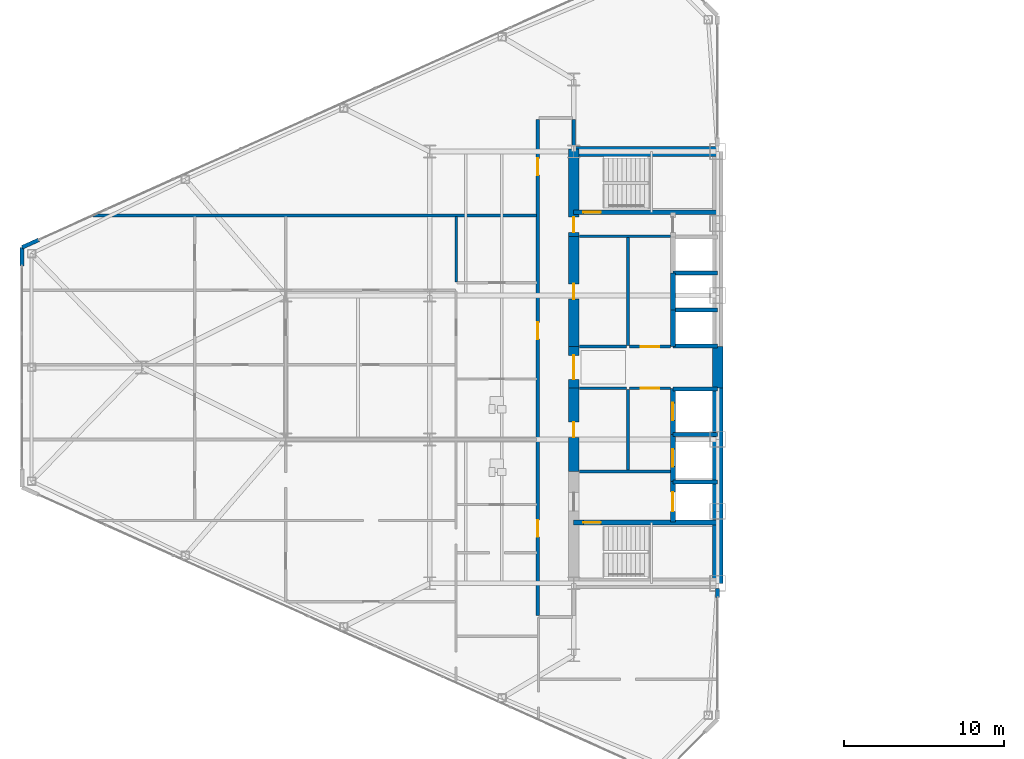
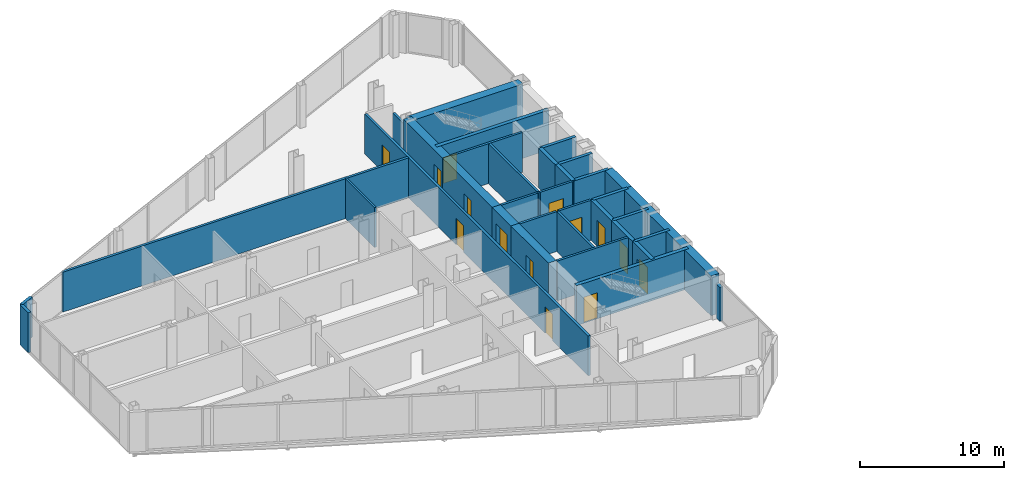
# One storey, part 20 of 27: 35 walls, 14 doors, 14 openings.
"""IFC4 building model written with IfcOpenShell, lengths in metres."""

from ifc_helpers import new_model, si_unit, direction, frame, frame_2d, origin, place, context, subcontext, project, spatial, rectangle, extrude, source, transform, mapped, material, layer, layer_set, type_object, type_shapes, element, fill, save


model = new_model("IFC4")

# Units and contexts
model_context = context("Model", 3, precision=1e-05, world=origin(), true_north=direction((0.0, 1.0)))
body_context = subcontext(model_context, "Body", "Model", "MODEL_VIEW")
ifc_project = project(units=[si_unit("LENGTHUNIT", "METRE"), si_unit("AREAUNIT", "SQUARE_METRE"), si_unit("VOLUMEUNIT", "CUBIC_METRE"), si_unit("PLANEANGLEUNIT", "RADIAN"), si_unit("MASSUNIT", "GRAM", prefix="KILO")], contexts=[model_context])

# Site, building, storey
site_placement = place(None, origin())
site = spatial("IfcSite", under=ifc_project, at=site_placement, CompositionType="ELEMENT")
building_placement = place(site_placement, origin())
building = spatial("IfcBuilding", under=site, at=building_placement, Name="Seokmaru Belvedere", CompositionType="ELEMENT")
storey_placement = place(building_placement, frame((0.0, 0.0, 65.699951171875)))
storey = spatial("IfcBuildingStorey", under=building, at=storey_placement, Name="L17", CompositionType="ELEMENT", Elevation=65.699951171875)

# Walls
ifc_material_1 = material(Name="Fire-Rated Gypsum Shaftwall")
ifc_layer_1 = layer(ifc_material_1, 0.14990234375)
ifc_layer_set_1 = layer_set([ifc_layer_1], Name="Fire-Rated Gypsum Shaftwall")
wall_type_1 = type_object("IfcWallType", Name="Apartment Fire-Acoustic Room Partition 150", PredefinedType="PARTITIONING", material=ifc_layer_set_1)
wall_1_placement = place(storey_placement, frame((-43.85009765625, 5.35205078125, 0.0), z_axis=(0.0, 0.0, 1.0), x_axis=(0.0, 1.0, 0.0)))
element("IfcWall", 1, at=wall_1_placement, inside=storey, type_object=wall_type_1, Name="L17 Interior Partition 035", PredefinedType="PARTITIONING", context=body_context, shape_type="SweptSolid", body=[
    extrude(rectangle(XDim=4.097900390625, YDim=0.14990234375, at=frame_2d((2.048828125, 0.0))), origin(), (0.0, 0.0, 1.0), 3.380126953125),
])
ifc_layer_2 = layer(ifc_material_1, 0.179931640625)
ifc_layer_set_2 = layer_set([ifc_layer_2], Name="Fire-Rated Gypsum Shaftwall")
wall_type_2 = type_object("IfcWallType", Name="Core Service Fire Partition 180", PredefinedType="PARTITIONING", material=ifc_layer_set_2)
for number, where, z_axis, x_axis, name in (
    (2, (-36.14990234375, -6.5, 0.0), (0.0, 0.0, 1.0), (1.0, 0.0, 0.0), "L17 West Firefighting Lobby Partition"),
    (3, (-36.14990234375, 8.199951171875, 0.0), (0.0, 0.0, 1.0), (1.0, 0.0, 0.0), "L17 West Smokeproof Vestibule Partition"),
):
    element("IfcWall", number, at=place(storey_placement, frame(where, z_axis=z_axis, x_axis=x_axis)), inside=storey, type_object=wall_type_2, Name=name, PredefinedType="PARTITIONING", context=body_context, shape_type="SweptSolid", body=[
        extrude(rectangle(XDim=5.699951171875, YDim=0.179931640625, at=frame_2d((2.85009765625, 0.0))), origin(), (0.0, 0.0, 1.0), 3.380126953125),
    ])
wall_2_placement = place(storey_placement, frame((-33.10009765625, -6.419921875, 0.0), z_axis=(0.0, 0.0, 1.0), x_axis=(0.0, 1.0, 0.0)))
element("IfcWall", 4, at=wall_2_placement, inside=storey, type_object=wall_type_2, Name="L17 West South Core Service Back Wall", PredefinedType="PARTITIONING", context=body_context, shape_type="SweptSolid", body=[
    extrude(rectangle(XDim=5.0400390625, YDim=0.179931640625, at=frame_2d((2.52001953125, 0.0))), origin(), (0.0, 0.0, 1.0), 3.380126953125),
])
wall_3_placement = place(storey_placement, frame((-33.10009765625, 1.3798828125, 0.0), z_axis=(0.0, 0.0, 1.0), x_axis=(0.0, 1.0, 0.0)))
element("IfcWall", 5, at=wall_3_placement, inside=storey, type_object=wall_type_2, Name="L17 West North Core Service Back Wall", PredefinedType="PARTITIONING", context=body_context, shape_type="SweptSolid", body=[
    extrude(rectangle(XDim=6.740234375, YDim=0.179931640625, at=frame_2d((3.3701171875, 0.0))), origin(), (0.0, 0.0, 1.0), 3.380126953125),
])

# Wall, opening, door
wall_4_placement = place(storey_placement, frame((-33.02001953125, -1.300048828125, 0.0), z_axis=(0.0, 0.0, 1.0), x_axis=(1.0, 0.0, 0.0)))
wall_4 = element("IfcWall", 6, at=wall_4_placement, inside=storey, type_object=wall_type_2, Name="L17 West South Lift Lobby Foyer Wall", PredefinedType="PARTITIONING", context=body_context, shape_type="SweptSolid", body=[
    extrude(rectangle(XDim=2.570068359375, YDim=0.179931640625, at=frame_2d((1.28515625, 0.0))), origin(), (0.0, 0.0, 1.0), 3.380126953125),
])
opening_1_placement = place(wall_4_placement, frame((0.7099609375, 0.0, 0.0)))
opening_1 = element("IfcOpeningElement", 7, at=opening_1_placement, cuts=wall_4, Name="Opening D02", PredefinedType="OPENING", context=body_context, shape_type="SweptSolid", body=[
    extrude(rectangle(XDim=1.14990234375, YDim=2.199951171875, at=frame_2d((0.574951171875, 1.10009765625))), frame((0.0, 0.10009765625, 0.0), z_axis=(0.0, -1.0, 0.0), x_axis=(1.0, 0.0, 0.0)), (0.0, 0.0, 1.0), 0.199951171875),
])
ifc_material_2 = material(Name="Fire-Rated Steel Leaf", Category="steel")
door_type_1 = type_object("IfcDoorType", Name="Lobby and Vestibule Fire Door 1150x2200", OperationType="NOTDEFINED", PredefinedType="DOOR", material=ifc_material_2)
shared_shape_1 = source(origin(), body_context, "Body", "SweptSolid", [
    extrude(rectangle(XDim=1.14990234375, YDim=2.199951171875, at=frame_2d((0.574951171875, 1.10009765625))), frame((0.0, 0.02490234375, 0.0), z_axis=(0.0, -1.0, 0.0), x_axis=(1.0, 0.0, 0.0)), (0.0, 0.0, 1.0), 0.050048828125),
])
type_shapes(door_type_1, [shared_shape_1])
door_1_placement = place(opening_1_placement, origin())
door_1 = element("IfcDoor", 8, at=door_1_placement, inside=storey, type_object=door_type_1, Name="L17 West South Core Foyer Door", OperationType="SINGLE_SWING_LEFT", OverallHeight=2.199951171875, OverallWidth=1.14990234375, PredefinedType="DOOR", context=body_context, shape_type="MappedRepresentation", body=[
    mapped(shared_shape_1, transform((0.0, 0.0, 0.0), scale=1.0)),
])
fill(opening_1, door_1)

wall_5_placement = place(storey_placement, frame((-33.02001953125, 1.300048828125, 0.0), z_axis=(0.0, 0.0, 1.0), x_axis=(1.0, 0.0, 0.0)))
wall_5 = element("IfcWall", 9, at=wall_5_placement, inside=storey, type_object=wall_type_2, Name="L17 West North Lift Lobby Foyer Wall", PredefinedType="PARTITIONING", context=body_context, shape_type="SweptSolid", body=[
    extrude(rectangle(XDim=2.570068359375, YDim=0.179931640625, at=frame_2d((1.28515625, 0.0))), origin(), (0.0, 0.0, 1.0), 3.380126953125),
])
opening_2_placement = place(wall_5_placement, frame((0.7099609375, 0.0, 0.0)))
opening_2 = element("IfcOpeningElement", 10, at=opening_2_placement, cuts=wall_5, Name="Opening D02", PredefinedType="OPENING", context=body_context, shape_type="SweptSolid", body=[
    extrude(rectangle(XDim=1.14990234375, YDim=2.199951171875, at=frame_2d((0.574951171875, 1.10009765625))), frame((0.0, 0.10009765625, 0.0), z_axis=(0.0, -1.0, 0.0), x_axis=(1.0, 0.0, 0.0)), (0.0, 0.0, 1.0), 0.199951171875),
])
door_2_placement = place(opening_2_placement, origin())
door_2 = element("IfcDoor", 11, at=door_2_placement, inside=storey, type_object=door_type_1, Name="L17 West North Lift Lobby Door", OperationType="SINGLE_SWING_RIGHT", OverallHeight=2.199951171875, OverallWidth=1.14990234375, PredefinedType="DOOR", context=body_context, shape_type="MappedRepresentation", body=[
    mapped(shared_shape_1, transform((0.0, 0.0, 0.0), scale=1.0)),
])
fill(opening_2, door_2)

# Walls
for number, where, z_axis, x_axis, name in (
    (12, (-36.14990234375, -1.300048828125, 0.0), (0.0, 0.0, 1.0), (1.0, 0.0, 0.0), "L17 West Foyer Side Wall S"),
    (13, (-36.14990234375, 1.300048828125, 0.0), (0.0, 0.0, 1.0), (1.0, 0.0, 0.0), "L17 West Foyer Side Wall N"),
):
    element("IfcWall", number, at=place(storey_placement, frame(where, z_axis=z_axis, x_axis=x_axis)), inside=storey, type_object=wall_type_2, Name=name, PredefinedType="PARTITIONING", context=body_context, shape_type="SweptSolid", body=[
        extrude(rectangle(XDim=2.949951171875, YDim=0.179931640625, at=frame_2d((1.47509765625, 0.0))), origin(), (0.0, 0.0, 1.0), 3.380126953125),
    ])
ifc_material_3 = material(Name="Concrete C50 (50 MPa)", Category="concrete")
ifc_layer_3 = layer(ifc_material_3, 0.25)
ifc_layer_set_3 = layer_set([ifc_layer_3], Name="Concrete C50 (50 MPa)")
wall_type_3 = type_object("IfcWallType", Name="Hoistway Transverse Concrete Divider Wall 250", PredefinedType="SHEAR", material=ifc_layer_set_3)
for number, where, z_axis, x_axis, name in (
    (14, (-30.300048828125, -7.14990234375, 0.0), (0.0, 0.0, 1.0), (1.0, 0.0, 0.0), "L17 West Hoistway Divider Core Wall 1"),
    (15, (-30.300048828125, -4.199951171875, 0.0), (0.0, 0.0, 1.0), (1.0, 0.0, 0.0), "L17 West Hoistway Divider Core Wall 2"),
    (16, (-30.300048828125, -1.35009765625, 0.0), (0.0, 0.0, 1.0), (1.0, 0.0, 0.0), "L17 West Hoistway Divider Core Wall 3"),
    (17, (-30.300048828125, 1.35009765625, 0.0), (0.0, 0.0, 1.0), (1.0, 0.0, 0.0), "L17 West Hoistway Divider Core Wall 4"),
    (18, (-30.300048828125, 3.60009765625, 0.0), (0.0, 0.0, 1.0), (1.0, 0.0, 0.0), "L17 West Hoistway Divider Core Wall 5"),
    (19, (-30.300048828125, 5.89990234375, 0.0), (0.0, 0.0, 1.0), (1.0, 0.0, 0.0), "L17 West Hoistway Divider Core Wall 6"),
):
    element("IfcWall", number, at=place(storey_placement, frame(where, z_axis=z_axis, x_axis=x_axis)), inside=storey, type_object=wall_type_3, Name=name, PredefinedType="SHEAR", context=body_context, shape_type="SweptSolid", body=[
        extrude(rectangle(XDim=2.800048828125, YDim=0.25, at=frame_2d((1.39990234375, 0.0))), origin(), (0.0, 0.0, 1.0), 3.380126953125),
    ])
ifc_layer_4 = layer(ifc_material_1, 0.199951171875)
ifc_layer_set_4 = layer_set([ifc_layer_4], Name="Fire-Rated Gypsum Shaftwall")
wall_type_4 = type_object("IfcWallType", Name="Inter-Tenancy Fire Compartment Partition 200", PredefinedType="PARTITIONING", material=ifc_layer_set_4)
wall_6_placement = place(storey_placement, frame((-66.568115234375, 9.5, 0.0), z_axis=(0.0, 0.0, 1.0), x_axis=(1.0, 0.0, 0.0)))
element("IfcWall", 20, at=wall_6_placement, inside=storey, type_object=wall_type_4, Name="L17 Interior Partition 026", PredefinedType="PARTITIONING", context=body_context, shape_type="SweptSolid", body=[
    extrude(rectangle(XDim=27.738037109375, YDim=0.199951171875, at=frame_2d((13.869140625, 0.0))), origin(), (0.0, 0.0, 1.0), 3.380126953125),
])

# Wall, openings, doors
wall_7_placement = place(storey_placement, frame((-38.75, -15.514892578125, 0.0), z_axis=(0.0, 0.0, 1.0), x_axis=(0.0, 1.0, 0.0)))
wall_7 = element("IfcWall", 21, at=wall_7_placement, inside=storey, type_object=wall_type_4, Name="L17 Interior Partition 036", PredefinedType="PARTITIONING", context=body_context, shape_type="SweptSolid", body=[
    extrude(rectangle(XDim=31.02978515625, YDim=0.199951171875, at=frame_2d((15.514892578125, 0.0))), origin(), (0.0, 0.0, 1.0), 3.380126953125),
])
opening_3_placement = place(wall_7_placement, frame((4.91259765625, 0.0, 0.0)))
opening_3 = element("IfcOpeningElement", 22, at=opening_3_placement, cuts=wall_7, Name="Opening D03", PredefinedType="OPENING", context=body_context, shape_type="SweptSolid", body=[
    extrude(rectangle(XDim=1.050048828125, YDim=2.25, at=frame_2d((0.52490234375, 1.125))), frame((0.0, 0.10986328125, 0.0), z_axis=(0.0, -1.0, 0.0), x_axis=(1.0, 0.0, 0.0)), (0.0, 0.0, 1.0), 0.219970703125),
])
opening_4_placement = place(wall_7_placement, frame((17.280029296875, 0.0, 0.0)))
opening_4 = element("IfcOpeningElement", 23, at=opening_4_placement, cuts=wall_7, Name="Opening D03", PredefinedType="OPENING", context=body_context, shape_type="SweptSolid", body=[
    extrude(rectangle(XDim=1.050048828125, YDim=2.25, at=frame_2d((0.52490234375, 1.125))), frame((0.0, 0.10986328125, 0.0), z_axis=(0.0, -1.0, 0.0), x_axis=(1.0, 0.0, 0.0)), (0.0, 0.0, 1.0), 0.219970703125),
])
opening_5_placement = place(wall_7_placement, frame((27.5400390625, 0.0, 0.0)))
opening_5 = element("IfcOpeningElement", 24, at=opening_5_placement, cuts=wall_7, Name="Opening D03", PredefinedType="OPENING", context=body_context, shape_type="SweptSolid", body=[
    extrude(rectangle(XDim=1.050048828125, YDim=2.25, at=frame_2d((0.52490234375, 1.125))), frame((0.0, 0.10986328125, 0.0), z_axis=(0.0, -1.0, 0.0), x_axis=(1.0, 0.0, 0.0)), (0.0, 0.0, 1.0), 0.219970703125),
])
door_type_2 = type_object("IfcDoorType", Name="Apartment Entrance Fire Door 1050x2250", OperationType="NOTDEFINED", PredefinedType="DOOR", material=ifc_material_2)
shared_shape_2 = source(origin(), body_context, "Body", "SweptSolid", [
    extrude(rectangle(XDim=1.050048828125, YDim=2.25, at=frame_2d((0.52490234375, 1.125))), frame((0.0, 0.02490234375, 0.0), z_axis=(0.0, -1.0, 0.0), x_axis=(1.0, 0.0, 0.0)), (0.0, 0.0, 1.0), 0.050048828125),
])
type_shapes(door_type_2, [shared_shape_2])
door_3_placement = place(opening_3_placement, origin())
door_3 = element("IfcDoor", 25, at=door_3_placement, inside=storey, type_object=door_type_2, Name="L17 Interior Door 001", OperationType="SINGLE_SWING_RIGHT", OverallHeight=2.25, OverallWidth=1.050048828125, PredefinedType="DOOR", context=body_context, shape_type="MappedRepresentation", body=[
    mapped(shared_shape_2, transform((0.0, 0.0, 0.0), scale=1.0)),
])
fill(opening_3, door_3)
door_4_placement = place(opening_4_placement, origin())
door_4 = element("IfcDoor", 26, at=door_4_placement, inside=storey, type_object=door_type_2, Name="L17 Interior Door 013", OperationType="SINGLE_SWING_LEFT", OverallHeight=2.25, OverallWidth=1.050048828125, PredefinedType="DOOR", context=body_context, shape_type="MappedRepresentation", body=[
    mapped(shared_shape_2, transform((0.0, 0.0, 0.0), scale=1.0)),
])
fill(opening_4, door_4)
door_5_placement = place(opening_5_placement, origin())
door_5 = element("IfcDoor", 27, at=door_5_placement, inside=storey, type_object=door_type_2, Name="L17 Interior Door 025", OperationType="SINGLE_SWING_RIGHT", OverallHeight=2.25, OverallWidth=1.050048828125, PredefinedType="DOOR", context=body_context, shape_type="MappedRepresentation", body=[
    mapped(shared_shape_2, transform((0.0, 0.0, 0.0), scale=1.0)),
])
fill(opening_5, door_5)

# Wall
wall_8_placement = place(storey_placement, frame((-36.5, 13.830078125, 0.0), z_axis=(0.0, 0.0, 1.0), x_axis=(0.0, 1.0, 0.0)))
element("IfcWall", 28, at=wall_8_placement, inside=storey, type_object=wall_type_4, Name="L17 Interior Partition 039", PredefinedType="PARTITIONING", context=body_context, shape_type="SweptSolid", body=[
    extrude(rectangle(XDim=1.684814453125, YDim=0.199951171875, at=frame_2d((0.84228515625, 0.0))), origin(), (0.0, 0.0, 1.0), 2.679931640625),
])

# Wall, opening, door
ifc_layer_5 = layer(ifc_material_3, 0.300048828125)
ifc_layer_set_5 = layer_set([ifc_layer_5], Name="Concrete C50 (50 MPa)")
wall_type_5 = type_object("IfcWallType", Name="Internal Core Stair and Hoistway Wall 300", PredefinedType="SHEAR", material=ifc_layer_set_5)
wall_9_placement = place(storey_placement, frame((-36.5, -9.699951171875, 0.0), z_axis=(0.0, 0.0, 1.0), x_axis=(1.0, 0.0, 0.0)))
wall_9 = element("IfcWall", 29, at=wall_9_placement, inside=storey, type_object=wall_type_5, Name="L17 West Stair ST-1 Enclosure Wall", PredefinedType="SHEAR", context=body_context, shape_type="SweptSolid", body=[
    extrude(rectangle(XDim=9.0, YDim=0.300048828125, at=frame_2d((4.5, 0.0))), origin(), (0.0, 0.0, 1.0), 3.380126953125),
])
opening_6_placement = place(wall_9_placement, frame((0.60009765625, 0.0, 0.0)))
opening_6 = element("IfcOpeningElement", 30, at=opening_6_placement, cuts=wall_9, Name="Opening D01", PredefinedType="OPENING", context=body_context, shape_type="SweptSolid", body=[
    extrude(rectangle(XDim=1.10009765625, YDim=2.199951171875, at=frame_2d((0.550048828125, 1.10009765625))), frame((0.0, 0.16015625, 0.0), z_axis=(0.0, -1.0, 0.0), x_axis=(1.0, 0.0, 0.0)), (0.0, 0.0, 1.0), 0.320068359375),
])
door_type_3 = type_object("IfcDoorType", Name="Special Escape Stair Smokeproof Fire Door 1100x2200", OperationType="NOTDEFINED", PredefinedType="DOOR", material=ifc_material_2)
shared_shape_3 = source(origin(), body_context, "Body", "SweptSolid", [
    extrude(rectangle(XDim=1.10009765625, YDim=2.199951171875, at=frame_2d((0.550048828125, 1.10009765625))), frame((0.0, 0.02490234375, 0.0), z_axis=(0.0, -1.0, 0.0), x_axis=(1.0, 0.0, 0.0)), (0.0, 0.0, 1.0), 0.050048828125),
])
type_shapes(door_type_3, [shared_shape_3])
door_6_placement = place(opening_6_placement, frame((1.10009765625, 0.0, 0.0), z_axis=(0.0, 0.0, 1.0), x_axis=(-1.0, 0.0, 0.0)))
door_6 = element("IfcDoor", 31, at=door_6_placement, inside=storey, type_object=door_type_3, Name="L17 West Special Escape Stair ST-1 Door", OperationType="SINGLE_SWING_LEFT", OverallHeight=2.199951171875, OverallWidth=1.10009765625, PredefinedType="DOOR", context=body_context, shape_type="MappedRepresentation", body=[
    mapped(shared_shape_3, transform((0.0, 0.0, 0.0), scale=1.0)),
])
fill(opening_6, door_6)

wall_10_placement = place(storey_placement, frame((-36.5, 9.699951171875, 0.0), z_axis=(0.0, 0.0, 1.0), x_axis=(1.0, 0.0, 0.0)))
wall_10 = element("IfcWall", 32, at=wall_10_placement, inside=storey, type_object=wall_type_5, Name="L17 West Stair ST-2 Enclosure Wall", PredefinedType="SHEAR", context=body_context, shape_type="SweptSolid", body=[
    extrude(rectangle(XDim=9.0, YDim=0.300048828125, at=frame_2d((4.5, 0.0))), origin(), (0.0, 0.0, 1.0), 3.380126953125),
])
opening_7_placement = place(wall_10_placement, frame((0.60009765625, 0.0, 0.0)))
opening_7 = element("IfcOpeningElement", 33, at=opening_7_placement, cuts=wall_10, Name="Opening D01", PredefinedType="OPENING", context=body_context, shape_type="SweptSolid", body=[
    extrude(rectangle(XDim=1.10009765625, YDim=2.199951171875, at=frame_2d((0.550048828125, 1.10009765625))), frame((0.0, 0.16015625, 0.0), z_axis=(0.0, -1.0, 0.0), x_axis=(1.0, 0.0, 0.0)), (0.0, 0.0, 1.0), 0.320068359375),
])
door_7_placement = place(opening_7_placement, origin())
door_7 = element("IfcDoor", 34, at=door_7_placement, inside=storey, type_object=door_type_3, Name="L17 West Special Escape Stair ST-2 Door", OperationType="SINGLE_SWING_RIGHT", OverallHeight=2.199951171875, OverallWidth=1.10009765625, PredefinedType="DOOR", context=body_context, shape_type="MappedRepresentation", body=[
    mapped(shared_shape_3, transform((0.0, 0.0, 0.0), scale=1.0)),
])
fill(opening_7, door_7)

wall_11_placement = place(storey_placement, frame((-30.300048828125, -9.679931640625, 0.0), z_axis=(0.0, 0.0, 1.0), x_axis=(0.0, 1.0, 0.0)))
wall_11 = element("IfcWall", 35, at=wall_11_placement, inside=storey, type_object=wall_type_5, Name="L17 West Firefighting Lift Shaft Front Wall", PredefinedType="SHEAR", context=body_context, shape_type="SweptSolid", body=[
    extrude(rectangle(XDim=2.559814453125, YDim=0.300048828125, at=frame_2d((1.27978515625, 0.0))), origin(), (0.0, 0.0, 1.0), 3.380126953125),
])
opening_8_placement = place(wall_11_placement, frame((0.679931640625, 0.0, 0.0)))
opening_8 = element("IfcOpeningElement", 36, at=opening_8_placement, cuts=wall_11, Name="Opening LD2", PredefinedType="OPENING", context=body_context, shape_type="SweptSolid", body=[
    extrude(rectangle(XDim=1.199951171875, YDim=2.25, at=frame_2d((0.60009765625, 1.125))), frame((0.0, 0.16015625, 0.0), z_axis=(0.0, -1.0, 0.0), x_axis=(1.0, 0.0, 0.0)), (0.0, 0.0, 1.0), 0.320068359375),
])
ifc_material_4 = material(Name="Stainless Steel 316", Category="steel")
door_type_4 = type_object("IfcDoorType", Name="Firefighting Lift Sliding Landing Door 1200x2250", OperationType="DOUBLE_DOOR_SLIDING", PredefinedType="DOOR", material=ifc_material_4)
shared_shape_4 = source(origin(), body_context, "Body", "SweptSolid", [
    extrude(rectangle(XDim=1.199951171875, YDim=2.25, at=frame_2d((0.60009765625, 1.125))), frame((0.0, 0.02490234375, 0.0), z_axis=(0.0, -1.0, 0.0), x_axis=(1.0, 0.0, 0.0)), (0.0, 0.0, 1.0), 0.050048828125),
])
type_shapes(door_type_4, [shared_shape_4])
door_8_placement = place(opening_8_placement, origin())
door_8 = element("IfcDoor", 37, at=door_8_placement, inside=storey, type_object=door_type_4, Name="L17 West Firefighting Lift Landing Door", OperationType="DOUBLE_DOOR_SLIDING", OverallHeight=2.25, OverallWidth=1.199951171875, PredefinedType="DOOR", context=body_context, shape_type="MappedRepresentation", body=[
    mapped(shared_shape_4, transform((0.0, 0.0, 0.0), scale=1.0)),
])
fill(opening_8, door_8)

wall_12_placement = place(storey_placement, frame((-30.300048828125, -7.1201171875, 0.0), z_axis=(0.0, 0.0, 1.0), x_axis=(0.0, 1.0, 0.0)))
wall_12 = element("IfcWall", 38, at=wall_12_placement, inside=storey, type_object=wall_type_5, Name="L17 West Low-Rise Lift PL-1 Front Wall", PredefinedType="SHEAR", context=body_context, shape_type="SweptSolid", body=[
    extrude(rectangle(XDim=2.920166015625, YDim=0.300048828125, at=frame_2d((1.4599609375, 0.0))), origin(), (0.0, 0.0, 1.0), 3.380126953125),
])
opening_9_placement = place(wall_12_placement, frame((0.909912109375, 0.0, 0.0)))
opening_9 = element("IfcOpeningElement", 39, at=opening_9_placement, cuts=wall_12, Name="Opening LD1", PredefinedType="OPENING", context=body_context, shape_type="SweptSolid", body=[
    extrude(rectangle(XDim=1.10009765625, YDim=2.199951171875, at=frame_2d((0.550048828125, 1.10009765625))), frame((0.0, 0.16015625, 0.0), z_axis=(0.0, -1.0, 0.0), x_axis=(1.0, 0.0, 0.0)), (0.0, 0.0, 1.0), 0.320068359375),
])
door_type_5 = type_object("IfcDoorType", Name="Passenger Lift Sliding Landing Door 1100x2200", OperationType="DOUBLE_DOOR_SLIDING", PredefinedType="DOOR", material=ifc_material_4)
shared_shape_5 = source(origin(), body_context, "Body", "SweptSolid", [
    extrude(rectangle(XDim=1.10009765625, YDim=2.199951171875, at=frame_2d((0.550048828125, 1.10009765625))), frame((0.0, 0.02490234375, 0.0), z_axis=(0.0, -1.0, 0.0), x_axis=(1.0, 0.0, 0.0)), (0.0, 0.0, 1.0), 0.050048828125),
])
type_shapes(door_type_5, [shared_shape_5])
door_9_placement = place(opening_9_placement, origin())
door_9 = element("IfcDoor", 40, at=door_9_placement, inside=storey, type_object=door_type_5, Name="L17 West Low-Rise Lift PL-1 Landing Door", OperationType="DOUBLE_DOOR_SLIDING", OverallHeight=2.199951171875, OverallWidth=1.10009765625, PredefinedType="DOOR", context=body_context, shape_type="MappedRepresentation", body=[
    mapped(shared_shape_5, transform((0.0, 0.0, 0.0), scale=1.0)),
])
fill(opening_9, door_9)

wall_13_placement = place(storey_placement, frame((-30.300048828125, -4.199951171875, 0.0), z_axis=(0.0, 0.0, 1.0), x_axis=(0.0, 1.0, 0.0)))
wall_13 = element("IfcWall", 41, at=wall_13_placement, inside=storey, type_object=wall_type_5, Name="L17 West Low-Rise Lift PL-2 Front Wall", PredefinedType="SHEAR", context=body_context, shape_type="SweptSolid", body=[
    extrude(rectangle(XDim=2.8798828125, YDim=0.300048828125, at=frame_2d((1.43994140625, 0.0))), origin(), (0.0, 0.0, 1.0), 3.380126953125),
])
opening_10_placement = place(wall_13_placement, frame((0.889892578125, 0.0, 0.0)))
opening_10 = element("IfcOpeningElement", 42, at=opening_10_placement, cuts=wall_13, Name="Opening LD1", PredefinedType="OPENING", context=body_context, shape_type="SweptSolid", body=[
    extrude(rectangle(XDim=1.10009765625, YDim=2.199951171875, at=frame_2d((0.550048828125, 1.10009765625))), frame((0.0, 0.16015625, 0.0), z_axis=(0.0, -1.0, 0.0), x_axis=(1.0, 0.0, 0.0)), (0.0, 0.0, 1.0), 0.320068359375),
])
door_10_placement = place(opening_10_placement, origin())
door_10 = element("IfcDoor", 43, at=door_10_placement, inside=storey, type_object=door_type_5, Name="L17 West Low-Rise Lift PL-2 Landing Door", OperationType="DOUBLE_DOOR_SLIDING", OverallHeight=2.199951171875, OverallWidth=1.10009765625, PredefinedType="DOOR", context=body_context, shape_type="MappedRepresentation", body=[
    mapped(shared_shape_5, transform((0.0, 0.0, 0.0), scale=1.0)),
])
fill(opening_10, door_10)

# Walls
wall_14_placement = place(storey_placement, frame((-30.300048828125, 1.320068359375, 0.0), z_axis=(0.0, 0.0, 1.0), x_axis=(0.0, 1.0, 0.0)))
element("IfcWall", 44, at=wall_14_placement, inside=storey, type_object=wall_type_5, Name="L17 West North Hoistway Wall PH1", PredefinedType="SHEAR", context=body_context, shape_type="SweptSolid", body=[
    extrude(rectangle(XDim=2.280029296875, YDim=0.300048828125, at=frame_2d((1.14013671875, 0.0))), origin(), (0.0, 0.0, 1.0), 3.380126953125),
])
wall_15_placement = place(storey_placement, frame((-30.300048828125, 3.60009765625, 0.0), z_axis=(0.0, 0.0, 1.0), x_axis=(0.0, 1.0, 0.0)))
element("IfcWall", 45, at=wall_15_placement, inside=storey, type_object=wall_type_5, Name="L17 West North Hoistway Wall PH2", PredefinedType="SHEAR", context=body_context, shape_type="SweptSolid", body=[
    extrude(rectangle(XDim=2.2998046875, YDim=0.300048828125, at=frame_2d((1.14990234375, 0.0))), origin(), (0.0, 0.0, 1.0), 3.380126953125),
])
ifc_material_5 = material(Name="Concrete C60 (60 MPa)", Category="concrete")
ifc_layer_6 = layer(ifc_material_5, 0.64990234375)
ifc_layer_set_6 = layer_set([ifc_layer_6], Name="Concrete C60 (60 MPa)")
wall_type_6 = type_object("IfcWallType", Name="Mid-Low Reinforced Concrete Core Wall 650", PredefinedType="SHEAR", material=ifc_layer_set_6)
wall_16_placement = place(storey_placement, frame((-27.5, -13.5, 0.0), z_axis=(0.0, 0.0, 1.0), x_axis=(0.0, 1.0, 0.0)))
element("IfcWall", 46, at=wall_16_placement, inside=storey, type_object=wall_type_6, Name="L17 West Portal Spine Core Wall South", PredefinedType="SHEAR", context=body_context, shape_type="SweptSolid", body=[
    extrude(rectangle(XDim=12.199951171875, YDim=0.64990234375, at=frame_2d((6.10009765625, 0.0))), origin(), (0.0, 0.0, 1.0), 3.380126953125),
])
wall_17_placement = place(storey_placement, frame((-27.5, -1.300048828125, 0.0), z_axis=(0.0, 0.0, 1.0), x_axis=(0.0, 1.0, 0.0)))
element("IfcWall", 47, at=wall_17_placement, inside=storey, type_object=wall_type_6, Name="L17 West Portal Spine Core Wall Center", PredefinedType="SHEAR", context=body_context, shape_type="SweptSolid", body=[
    extrude(rectangle(XDim=2.60009765625, YDim=0.64990234375, at=frame_2d((1.300048828125, 0.0))), origin(), (0.0, 0.0, 1.0), 3.380126953125),
])
wall_18_placement = place(storey_placement, frame((-36.5, 13.5, 0.0), z_axis=(0.0, 0.0, 1.0), x_axis=(1.0, 0.0, 0.0)))
element("IfcWall", 48, at=wall_18_placement, inside=storey, type_object=wall_type_6, Name="L17 West North Core Wall", PredefinedType="SHEAR", context=body_context, shape_type="SweptSolid", body=[
    extrude(rectangle(XDim=9.0, YDim=0.64990234375, at=frame_2d((4.5, 0.0))), origin(), (0.0, 0.0, 1.0), 3.380126953125),
])

# Wall, opening, door
wall_19_placement = place(storey_placement, frame((-36.5, -1.300048828125, 0.0), z_axis=(0.0, 0.0, 1.0), x_axis=(0.0, 1.0, 0.0)))
wall_19 = element("IfcWall", 49, at=wall_19_placement, inside=storey, type_object=wall_type_6, Name="L17 West West Core Wall FOY", PredefinedType="SHEAR", context=body_context, shape_type="SweptSolid", body=[
    extrude(rectangle(XDim=2.60009765625, YDim=0.64990234375, at=frame_2d((1.300048828125, 0.0))), origin(), (0.0, 0.0, 1.0), 3.380126953125),
])
opening_11_placement = place(wall_19_placement, frame((0.550048828125, 0.0, 0.0)))
opening_11 = element("IfcOpeningElement", 50, at=opening_11_placement, cuts=wall_19, Name="Opening D08", PredefinedType="OPENING", context=body_context, shape_type="SweptSolid", body=[
    extrude(rectangle(XDim=1.5, YDim=2.300048828125, at=frame_2d((0.75, 1.14990234375))), frame((0.0, 0.3349609375, 0.0), z_axis=(0.0, -1.0, 0.0), x_axis=(1.0, 0.0, 0.0)), (0.0, 0.0, 1.0), 0.669921875),
])
door_type_6 = type_object("IfcDoorType", Name="Cross-Corridor Compartment Double Fire Door 1500x2300", OperationType="DOUBLE_SWING_LEFT", PredefinedType="DOOR", material=ifc_material_2)
shared_shape_6 = source(origin(), body_context, "Body", "SweptSolid", [
    extrude(rectangle(XDim=1.5, YDim=2.300048828125, at=frame_2d((0.75, 1.14990234375))), frame((0.0, 0.02490234375, 0.0), z_axis=(0.0, -1.0, 0.0), x_axis=(1.0, 0.0, 0.0)), (0.0, 0.0, 1.0), 0.050048828125),
])
type_shapes(door_type_6, [shared_shape_6])
door_11_placement = place(opening_11_placement, origin())
door_11 = element("IfcDoor", 51, at=door_11_placement, inside=storey, type_object=door_type_6, Name="L17 West Core Foyer Compartment Door", OperationType="DOUBLE_SWING_LEFT", OverallHeight=2.300048828125, OverallWidth=1.5, PredefinedType="DOOR", context=body_context, shape_type="MappedRepresentation", body=[
    mapped(shared_shape_6, transform((0.0, 0.0, 0.0), scale=1.0)),
])
fill(opening_11, door_11)

wall_20_placement = place(storey_placement, frame((-36.5, 8.199951171875, 0.0), z_axis=(0.0, 0.0, 1.0), x_axis=(0.0, 1.0, 0.0)))
wall_20 = element("IfcWall", 52, at=wall_20_placement, inside=storey, type_object=wall_type_6, Name="L17 West West Core Wall VST", PredefinedType="SHEAR", context=body_context, shape_type="SweptSolid", body=[
    extrude(rectangle(XDim=5.449951171875, YDim=0.64990234375, at=frame_2d((2.72509765625, 0.0))), origin(), (0.0, 0.0, 1.0), 3.380126953125),
])
opening_12_placement = place(wall_20_placement, frame((0.2451171875, 0.0, 0.0)))
opening_12 = element("IfcOpeningElement", 53, at=opening_12_placement, cuts=wall_20, Name="Opening D04", PredefinedType="OPENING", context=body_context, shape_type="SweptSolid", body=[
    extrude(rectangle(XDim=0.949951171875, YDim=2.14990234375, at=frame_2d((0.47509765625, 1.074951171875))), frame((0.0, 0.3349609375, 0.0), z_axis=(0.0, -1.0, 0.0), x_axis=(1.0, 0.0, 0.0)), (0.0, 0.0, 1.0), 0.669921875),
])
door_type_7 = type_object("IfcDoorType", Name="Core Service Room Fire Door 950x2150", OperationType="NOTDEFINED", PredefinedType="DOOR", material=ifc_material_2)
shared_shape_7 = source(origin(), body_context, "Body", "SweptSolid", [
    extrude(rectangle(XDim=0.949951171875, YDim=2.14990234375, at=frame_2d((0.47509765625, 1.074951171875))), frame((0.0, 0.02490234375, 0.0), z_axis=(0.0, -1.0, 0.0), x_axis=(1.0, 0.0, 0.0)), (0.0, 0.0, 1.0), 0.050048828125),
])
type_shapes(door_type_7, [shared_shape_7])
door_12_placement = place(opening_12_placement, frame((0.949951171875, 0.0, 0.0), z_axis=(0.0, 0.0, 1.0), x_axis=(-1.0, 0.0, 0.0)))
door_12 = element("IfcDoor", 54, at=door_12_placement, inside=storey, type_object=door_type_7, Name="L17 West Smokeproof Vestibule Door", OperationType="SINGLE_SWING_RIGHT", OverallHeight=2.14990234375, OverallWidth=0.949951171875, PredefinedType="DOOR", context=body_context, shape_type="MappedRepresentation", body=[
    mapped(shared_shape_7, transform((0.0, 0.0, 0.0), scale=1.0)),
])
fill(opening_12, door_12)

wall_21_placement = place(storey_placement, frame((-36.5, -6.5, 0.0), z_axis=(0.0, 0.0, 1.0), x_axis=(0.0, 1.0, 0.0)))
wall_21 = element("IfcWall", 55, at=wall_21_placement, inside=storey, type_object=wall_type_6, Name="L17 West West Core Wall CS1", PredefinedType="SHEAR", context=body_context, shape_type="SweptSolid", body=[
    extrude(rectangle(XDim=5.199951171875, YDim=0.64990234375, at=frame_2d((2.60009765625, 0.0))), origin(), (0.0, 0.0, 1.0), 3.380126953125),
])
opening_13_placement = place(wall_21_placement, frame((2.125, 0.0, 0.0)))
opening_13 = element("IfcOpeningElement", 56, at=opening_13_placement, cuts=wall_21, Name="Opening D04", PredefinedType="OPENING", context=body_context, shape_type="SweptSolid", body=[
    extrude(rectangle(XDim=0.949951171875, YDim=2.14990234375, at=frame_2d((0.47509765625, 1.074951171875))), frame((0.0, 0.3349609375, 0.0), z_axis=(0.0, -1.0, 0.0), x_axis=(1.0, 0.0, 0.0)), (0.0, 0.0, 1.0), 0.669921875),
])
door_13_placement = place(opening_13_placement, origin())
door_13 = element("IfcDoor", 57, at=door_13_placement, inside=storey, type_object=door_type_7, Name="L17 West Core Service Room Door 1", OperationType="SINGLE_SWING_LEFT", OverallHeight=2.14990234375, OverallWidth=0.949951171875, PredefinedType="DOOR", context=body_context, shape_type="MappedRepresentation", body=[
    mapped(shared_shape_7, transform((0.0, 0.0, 0.0), scale=1.0)),
])
fill(opening_13, door_13)

wall_22_placement = place(storey_placement, frame((-36.5, 1.300048828125, 0.0), z_axis=(0.0, 0.0, 1.0), x_axis=(0.0, 1.0, 0.0)))
wall_22 = element("IfcWall", 58, at=wall_22_placement, inside=storey, type_object=wall_type_6, Name="L17 West West Core Wall CS2", PredefinedType="SHEAR", context=body_context, shape_type="SweptSolid", body=[
    extrude(rectangle(XDim=6.89990234375, YDim=0.64990234375, at=frame_2d((3.449951171875, 0.0))), origin(), (0.0, 0.0, 1.0), 3.380126953125),
])
opening_14_placement = place(wall_22_placement, frame((2.97509765625, 0.0, 0.0)))
opening_14 = element("IfcOpeningElement", 59, at=opening_14_placement, cuts=wall_22, Name="Opening D04", PredefinedType="OPENING", context=body_context, shape_type="SweptSolid", body=[
    extrude(rectangle(XDim=0.949951171875, YDim=2.14990234375, at=frame_2d((0.47509765625, 1.074951171875))), frame((0.0, 0.3349609375, 0.0), z_axis=(0.0, -1.0, 0.0), x_axis=(1.0, 0.0, 0.0)), (0.0, 0.0, 1.0), 0.669921875),
])
door_14_placement = place(opening_14_placement, origin())
door_14 = element("IfcDoor", 60, at=door_14_placement, inside=storey, type_object=door_type_7, Name="L17 West Core Service Room Door 2", OperationType="SINGLE_SWING_RIGHT", OverallHeight=2.14990234375, OverallWidth=0.949951171875, PredefinedType="DOOR", context=body_context, shape_type="MappedRepresentation", body=[
    mapped(shared_shape_7, transform((0.0, 0.0, 0.0), scale=1.0)),
])
fill(opening_14, door_14)

# Walls
ifc_material_6 = material(Name="Anodised Bronze Aluminium", Category="aluminium")
ifc_layer_7 = layer(ifc_material_6, 0.239990234375)
ifc_layer_set_7 = layer_set([ifc_layer_7], Name="Anodised Bronze Aluminium")
wall_type_7 = type_object("IfcWallType", Name="Tower Corner Spandrel Closure Wall 240", PredefinedType="SOLIDWALL", material=ifc_layer_set_7)
wall_23_placement = place(storey_placement, frame((-27.5, -14.3798828125, 0.0), z_axis=(0.0, 0.0, 1.0), x_axis=(0.0, 1.0, 0.0)))
element("IfcWall", 61, at=wall_23_placement, inside=storey, type_object=wall_type_7, Name="L17 W Spine Closure Pier 1B", PredefinedType="SOLIDWALL", context=body_context, shape_type="SweptSolid", body=[
    extrude(rectangle(XDim=0.5498046875, YDim=0.239990234375, at=frame_2d((0.27490234375, 0.0))), origin(), (0.0, 0.0, 1.0), 2.880126953125),
])
for number, where, z_axis, x_axis, name in (
    (62, (-69.951416015625, 7.971923828125, 0.0), (0.0, 0.0, 1.0), (-0.911929519623, -0.410346866979, 0.0), "L17 W Corner Closure Pier 3B"),
    (63, (-71.0, 7.489990234375, 0.0), (0.0, 0.0, 1.0), (0.0, -1.0, 0.0), "L17 W Corner Closure Pier 4A"),
):
    element("IfcWall", number, at=place(storey_placement, frame(where, z_axis=z_axis, x_axis=x_axis)), inside=storey, type_object=wall_type_7, Name=name, PredefinedType="SOLIDWALL", context=body_context, shape_type="SweptSolid", body=[
        extrude(rectangle(XDim=1.139892578125, YDim=0.239990234375, at=frame_2d((0.56982421875, 0.0))), origin(), (0.0, 0.0, 1.0), 3.380126953125),
    ])

save(model, "model.ifc")
